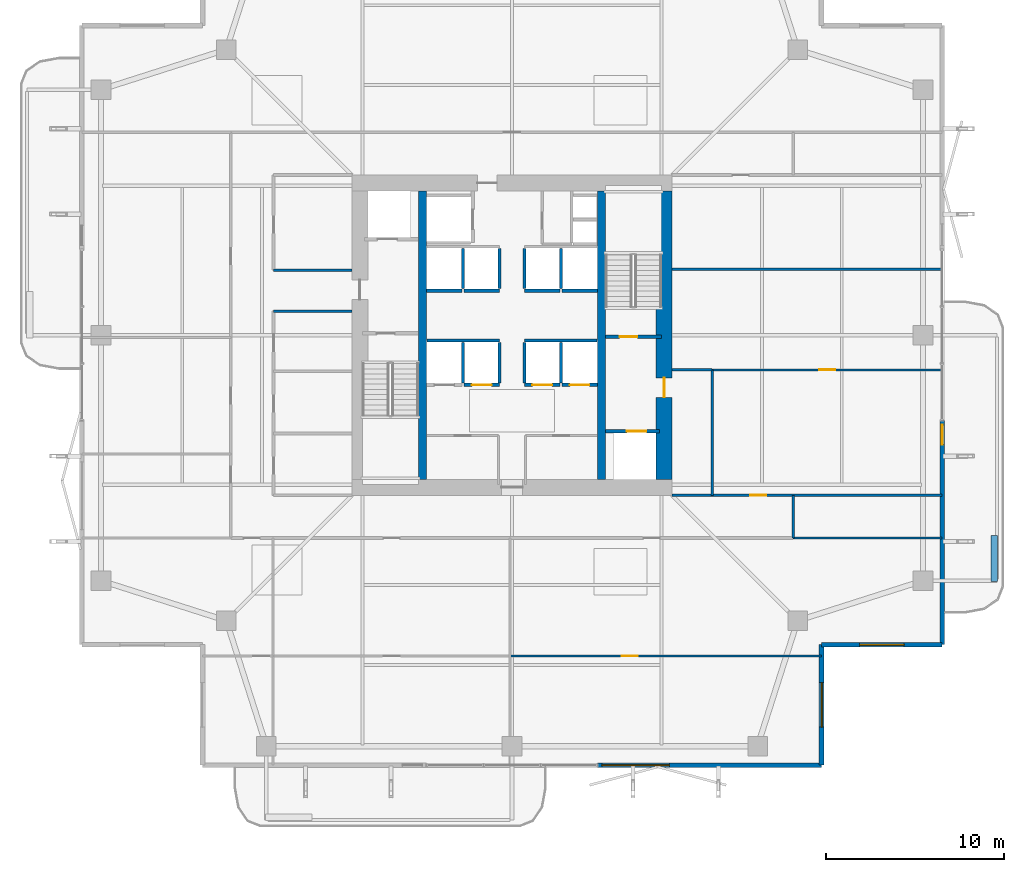
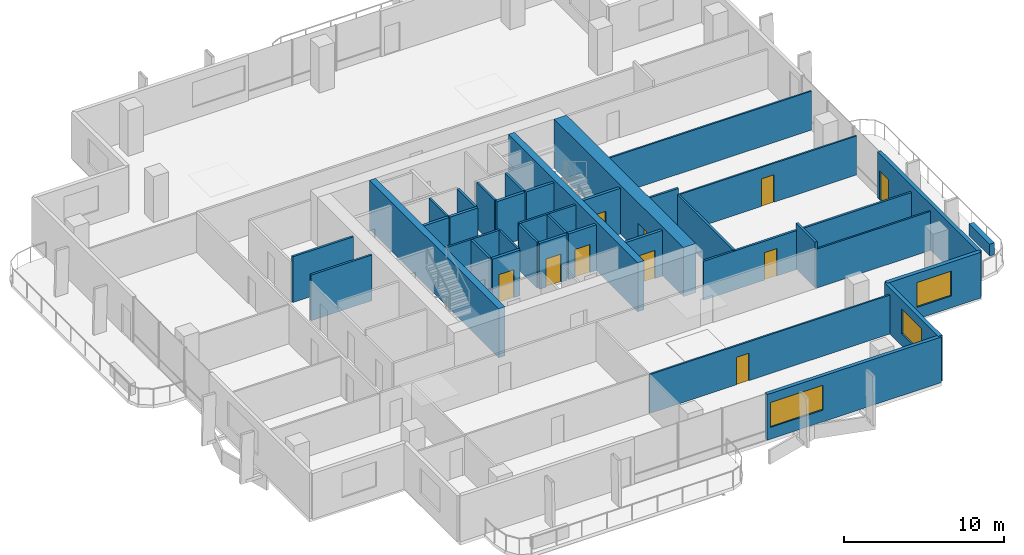
# One storey, part 20 of 25: 37 walls, 10 doors, 3 windows, 13 openings.
"""IFC4 building model written with IfcOpenShell, lengths in metres."""

from ifc_helpers import new_model, si_unit, direction, frame, frame_2d, origin, place, context, subcontext, project, spatial, rectangle, extrude, material, layer, layer_set, type_object, element, fill, save


model = new_model("IFC4")

# Units and contexts
model_context = context("Model", 3, precision=1e-05, world=origin(), true_north=direction((0.0, 1.0)))
body_context = subcontext(model_context, "Body", "Model", "MODEL_VIEW")
ifc_project = project(units=[si_unit("LENGTHUNIT", "METRE"), si_unit("AREAUNIT", "SQUARE_METRE"), si_unit("VOLUMEUNIT", "CUBIC_METRE"), si_unit("PLANEANGLEUNIT", "RADIAN"), si_unit("MASSUNIT", "GRAM", prefix="KILO")], contexts=[model_context])

# Site, building, storey
site_placement = place(None, origin())
site = spatial("IfcSite", under=ifc_project, at=site_placement, CompositionType="ELEMENT")
building_placement = place(site_placement, origin())
building = spatial("IfcBuilding", under=site, at=building_placement, Name="Belovzor Exchange Tower", CompositionType="ELEMENT")
storey_placement = place(building_placement, frame((0.0, 0.0, 160.800048828125)))
storey = spatial("IfcBuildingStorey", under=building, at=storey_placement, Name="L39", CompositionType="ELEMENT", Elevation=160.800048828125)

# Wall, opening, door
ifc_material_1 = material(Name="Acoustic Plasterboard on Galvanised Studs", Category="gypsum")
ifc_layer_1 = layer(ifc_material_1, 0.1201171875)
ifc_layer_set_1 = layer_set([ifc_layer_1], Name="Acoustic Plasterboard on Galvanised Studs")
wall_type_1 = type_object("IfcWallType", Name="Acoustic Double-Stud Partition Wall 120", PredefinedType="PARTITIONING", material=ifc_layer_set_1)
wall_1_placement = place(storey_placement, frame((28.696044921875, 10.76611328125, 0.0), z_axis=(0.0, 0.0, 1.0), x_axis=(1.0, 0.0, 0.0)))
wall_1 = element("IfcWall", 1, at=wall_1_placement, inside=storey, type_object=wall_type_1, Name="W-P120 Partition Wall W-L39-SHDIV-2", PredefinedType="PARTITIONING", context=body_context, shape_type="SweptSolid", body=[
    extrude(rectangle(XDim=17.50390625, YDim=0.1201171875, at=frame_2d((8.751953125, 0.0))), origin(), (0.0, 0.0, 1.0), 2.97998046875),
])
opening_1_placement = place(wall_1_placement, frame((6.277099609375, 0.0, 0.0)))
opening_1 = element("IfcOpeningElement", 2, at=opening_1_placement, cuts=wall_1, Name="Opening D-INT-090", PredefinedType="OPENING", context=body_context, shape_type="SweptSolid", body=[
    extrude(rectangle(XDim=0.89990234375, YDim=2.10009765625, at=frame_2d((0.449951171875, 1.050048828125))), frame((0.0, 0.070068359375, 0.0), z_axis=(0.0, -1.0, 0.0), x_axis=(1.0, 0.0, 0.0)), (0.0, 0.0, 1.0), 0.14013671875),
])
ifc_material_2 = material(Name="Veneered Hardwood Acoustic Leaf", Category="wood")
door_type_1 = type_object("IfcDoorType", Name="Trading Suite Acoustic Single Door 900x2100", OperationType="NOTDEFINED", PredefinedType="DOOR", material=ifc_material_2)
door_1_placement = place(opening_1_placement, origin())
door_1 = element("IfcDoor", 3, at=door_1_placement, inside=storey, type_object=door_type_1, Name="D-INT-090 Trading Suite Acoustic Single Door 900x2100", OperationType="SINGLE_SWING_LEFT", OverallHeight=2.10009765625, OverallWidth=0.89990234375, PredefinedType="DOOR", context=body_context, shape_type="SweptSolid", body=[
    extrude(rectangle(XDim=0.89990234375, YDim=2.10009765625, at=frame_2d((0.449951171875, 1.050048828125))), frame((0.0, 0.02490234375, 0.0), z_axis=(0.0, -1.0, 0.0), x_axis=(1.0, 0.0, 0.0)), (0.0, 0.0, 1.0), 0.050048828125),
])
fill(opening_1, door_1)

wall_2_placement = place(storey_placement, frame((40.050048828125, 26.85009765625, 0.0), z_axis=(0.0, 0.0, 1.0), x_axis=(1.0, 0.0, 0.0)))
wall_2 = element("IfcWall", 4, at=wall_2_placement, inside=storey, type_object=wall_type_1, Name="W-P120 Partition Wall W-L39-EDIV-1", PredefinedType="PARTITIONING", context=body_context, shape_type="SweptSolid", body=[
    extrude(rectangle(XDim=12.919921875, YDim=0.1201171875, at=frame_2d((6.4599609375, 0.0))), origin(), (0.0, 0.0, 1.0), 2.97998046875),
])
opening_2_placement = place(wall_2_placement, frame((6.010009765625, 0.0, 0.0)))
opening_2 = element("IfcOpeningElement", 5, at=opening_2_placement, cuts=wall_2, Name="Opening D-INT-090", PredefinedType="OPENING", context=body_context, shape_type="SweptSolid", body=[
    extrude(rectangle(XDim=0.89990234375, YDim=2.10009765625, at=frame_2d((0.449951171875, 1.050048828125))), frame((0.0, 0.070068359375, 0.0), z_axis=(0.0, -1.0, 0.0), x_axis=(1.0, 0.0, 0.0)), (0.0, 0.0, 1.0), 0.14013671875),
])
door_2_placement = place(opening_2_placement, origin())
door_2 = element("IfcDoor", 6, at=door_2_placement, inside=storey, type_object=door_type_1, Name="D-INT-090 Trading Suite Acoustic Single Door 900x2100", OperationType="SINGLE_SWING_LEFT", OverallHeight=2.10009765625, OverallWidth=0.89990234375, PredefinedType="DOOR", context=body_context, shape_type="SweptSolid", body=[
    extrude(rectangle(XDim=0.89990234375, YDim=2.10009765625, at=frame_2d((0.449951171875, 1.050048828125))), frame((0.0, 0.02490234375, 0.0), z_axis=(0.0, -1.0, 0.0), x_axis=(1.0, 0.0, 0.0)), (0.0, 0.0, 1.0), 0.050048828125),
])
fill(opening_2, door_2)

# Walls
wall_3_placement = place(storey_placement, frame((37.800048828125, 32.5, 0.0), z_axis=(0.0, 0.0, 1.0), x_axis=(1.0, 0.0, 0.0)))
element("IfcWall", 7, at=wall_3_placement, inside=storey, type_object=wall_type_1, Name="W-P120 Partition Wall W-L39-EDIV-2", PredefinedType="PARTITIONING", context=body_context, shape_type="SweptSolid", body=[
    extrude(rectangle(XDim=15.169921875, YDim=0.1201171875, at=frame_2d((7.5849609375, 0.0))), origin(), (0.0, 0.0, 1.0), 2.97998046875),
])
wall_4_placement = place(storey_placement, frame((44.60009765625, 17.39990234375, 0.0), z_axis=(0.0, 0.0, 1.0), x_axis=(1.0, 0.0, 0.0)))
element("IfcWall", 8, at=wall_4_placement, inside=storey, type_object=wall_type_1, Name="W-P120 Partition Wall W-L39-END-SE", PredefinedType="PARTITIONING", context=body_context, shape_type="SweptSolid", body=[
    extrude(rectangle(XDim=8.369873046875, YDim=0.1201171875, at=frame_2d((4.18505859375, 0.0))), origin(), (0.0, 0.0, 1.0), 2.97998046875),
])
ifc_material_3 = material(Name="Fire-Rated Gypsum Block and Mineral Wool", Category="gypsum")
ifc_layer_2 = layer(ifc_material_3, 0.14990234375)
ifc_layer_set_2 = layer_set([ifc_layer_2], Name="Fire-Rated Gypsum Block and Mineral Wool")
wall_type_2 = type_object("IfcWallType", Name="Fire-Rated Gypsum Block Corridor Wall 150", PredefinedType="PARTITIONING", material=ifc_layer_set_2)
for number, where, z_axis, x_axis, name in (
    (9, (15.39990234375, 30.14990234375, 0.0), (0.0, 0.0, 1.0), (1.0, 0.0, 0.0), "W-P150 Partition Wall W-L39-WIC-N"),
    (10, (15.39990234375, 32.449951171875, 0.0), (0.0, 0.0, 1.0), (1.0, 0.0, 0.0), "W-P150 Partition Wall W-L39-CFW-N"),
):
    element("IfcWall", number, at=place(storey_placement, frame(where, z_axis=z_axis, x_axis=x_axis)), inside=storey, type_object=wall_type_2, Name=name, PredefinedType="PARTITIONING", context=body_context, shape_type="SweptSolid", body=[
        extrude(rectangle(XDim=4.400146484375, YDim=0.14990234375, at=frame_2d((2.2001953125, 0.0))), origin(), (0.0, 0.0, 1.0), 3.494873046875),
    ])
wall_5_placement = place(storey_placement, frame((37.800048828125, 26.85009765625, 0.0), z_axis=(0.0, 0.0, 1.0), x_axis=(1.0, 0.0, 0.0)))
element("IfcWall", 11, at=wall_5_placement, inside=storey, type_object=wall_type_2, Name="W-P150 Partition Wall W-L39-CFE-N", PredefinedType="PARTITIONING", context=body_context, shape_type="SweptSolid", body=[
    extrude(rectangle(XDim=2.25, YDim=0.14990234375, at=frame_2d((1.125, 0.0))), origin(), (0.0, 0.0, 1.0), 3.494873046875),
])
wall_6_placement = place(storey_placement, frame((40.050048828125, 19.800048828125, 0.0), z_axis=(0.0, 0.0, 1.0), x_axis=(0.0, 1.0, 0.0)))
element("IfcWall", 12, at=wall_6_placement, inside=storey, type_object=wall_type_2, Name="W-P150 Partition Wall W-L39-CFE-E", PredefinedType="PARTITIONING", context=body_context, shape_type="SweptSolid", body=[
    extrude(rectangle(XDim=7.050048828125, YDim=0.14990234375, at=frame_2d((3.52490234375, 0.0))), origin(), (0.0, 0.0, 1.0), 3.030029296875),
])
wall_7_placement = place(storey_placement, frame((44.60009765625, 17.39990234375, 0.0), z_axis=(0.0, 0.0, 1.0), x_axis=(0.0, 1.0, 0.0)))
element("IfcWall", 13, at=wall_7_placement, inside=storey, type_object=wall_type_2, Name="W-P150 Partition Wall W-L39-END-ES", PredefinedType="PARTITIONING", context=body_context, shape_type="SweptSolid", body=[
    extrude(rectangle(XDim=2.400146484375, YDim=0.14990234375, at=frame_2d((1.2001953125, 0.0))), origin(), (0.0, 0.0, 1.0), 3.494873046875),
])

# Wall, opening, door
wall_8_placement = place(storey_placement, frame((37.800048828125, 19.800048828125, 0.0), z_axis=(0.0, 0.0, 1.0), x_axis=(1.0, 0.0, 0.0)))
wall_8 = element("IfcWall", 14, at=wall_8_placement, inside=storey, type_object=wall_type_2, Name="W-P150 Partition Wall W-L39-CS-IN", PredefinedType="PARTITIONING", context=body_context, shape_type="SweptSolid", body=[
    extrude(rectangle(XDim=15.169921875, YDim=0.14990234375, at=frame_2d((7.5849609375, 0.0))), origin(), (0.0, 0.0, 1.0), 2.97998046875),
])
opening_3_placement = place(wall_8_placement, frame((4.39990234375, 0.0, 0.0)))
opening_3 = element("IfcOpeningElement", 15, at=opening_3_placement, cuts=wall_8, Name="Opening D-INT-090", PredefinedType="OPENING", context=body_context, shape_type="SweptSolid", body=[
    extrude(rectangle(XDim=0.89990234375, YDim=2.10009765625, at=frame_2d((0.449951171875, 1.050048828125))), frame((0.0, 0.0849609375, 0.0), z_axis=(0.0, -1.0, 0.0), x_axis=(1.0, 0.0, 0.0)), (0.0, 0.0, 1.0), 0.169921875),
])
door_3_placement = place(opening_3_placement, origin())
door_3 = element("IfcDoor", 16, at=door_3_placement, inside=storey, type_object=door_type_1, Name="D-INT-090 Trading Suite Acoustic Single Door 900x2100", OperationType="SINGLE_SWING_LEFT", OverallHeight=2.10009765625, OverallWidth=0.89990234375, PredefinedType="DOOR", context=body_context, shape_type="SweptSolid", body=[
    extrude(rectangle(XDim=0.89990234375, YDim=2.10009765625, at=frame_2d((0.449951171875, 1.050048828125))), frame((0.0, 0.02490234375, 0.0), z_axis=(0.0, -1.0, 0.0), x_axis=(1.0, 0.0, 0.0)), (0.0, 0.0, 1.0), 0.050048828125),
])
fill(opening_3, door_3)

# Wall, opening, window
ifc_material_4 = material(Name="Precast concrete C40/50", Category="concrete")
ifc_layer_3 = layer(ifc_material_4, 0.280029296875)
ifc_layer_set_3 = layer_set([ifc_layer_3], Name="Precast concrete C40/50")
wall_type_3 = type_object("IfcWallType", Name="Precast Concrete Notched Corner Frame Wall 280", PredefinedType="SOLIDWALL", material=ifc_layer_set_3)
wall_9_placement = place(storey_placement, frame((52.969970703125, 11.39990234375, 0.0), z_axis=(0.0, 0.0, 1.0), x_axis=(-1.0, 0.0, 0.0)))
wall_9 = element("IfcWall", 17, at=wall_9_placement, inside=storey, type_object=wall_type_3, Name="W-CRN280 Precast Concrete Notched Corner Frame Wall 280 L39", PredefinedType="SOLIDWALL", context=body_context, shape_type="SweptSolid", body=[
    extrude(rectangle(XDim=6.77001953125, YDim=0.280029296875, at=frame_2d((3.385009765625, 0.0))), origin(), (0.0, 0.0, 1.0), 3.494873046875),
])
opening_4_placement = place(wall_9_placement, frame((2.135009765625, 0.0, 0.89990234375)))
opening_4 = element("IfcOpeningElement", 18, at=opening_4_placement, cuts=wall_9, Name="Opening WN-CRN250", PredefinedType="OPENING", context=body_context, shape_type="SweptSolid", body=[
    extrude(rectangle(XDim=2.5, YDim=1.89990234375, at=frame_2d((1.25, 0.949951171875))), frame((0.0, 0.14990234375, 0.0), z_axis=(0.0, -1.0, 0.0), x_axis=(1.0, 0.0, 0.0)), (0.0, 0.0, 1.0), 0.300048828125),
])
ifc_material_5 = material(Name="Thermally Broken Aluminium and Triple Glazing", Category="aluminium")
window_type_1 = type_object("IfcWindowType", Name="Streamline Moderne Corner Wrap Ribbon Window 2500x1900", PartitioningType="SINGLE_PANEL", PredefinedType="WINDOW", material=ifc_material_5)
window_1_placement = place(opening_4_placement, origin())
window_1 = element("IfcWindow", 19, at=window_1_placement, inside=storey, type_object=window_type_1, Name="WN-CRN250 Streamline Moderne Corner Wrap Ribbon Window 2500x1900", OverallHeight=1.89990234375, OverallWidth=2.5, PartitioningType="SINGLE_PANEL", PredefinedType="WINDOW", context=body_context, shape_type="SweptSolid", body=[
    extrude(rectangle(XDim=2.5, YDim=1.89990234375, at=frame_2d((1.25, 0.949951171875))), frame((0.0, 0.030029296875, 0.0), z_axis=(0.0, -1.0, 0.0), x_axis=(1.0, 0.0, 0.0)), (0.0, 0.0, 1.0), 0.06005859375),
])
fill(opening_4, window_1)

wall_10_placement = place(storey_placement, frame((46.199951171875, 11.39990234375, 0.0), z_axis=(0.0, 0.0, 1.0), x_axis=(0.0, -1.0, 0.0)))
wall_10 = element("IfcWall", 20, at=wall_10_placement, inside=storey, type_object=wall_type_3, Name="W-CRN280 Precast Concrete Notched Corner Frame Wall 280 L39", PredefinedType="SOLIDWALL", context=body_context, shape_type="SweptSolid", body=[
    extrude(rectangle(XDim=6.77001953125, YDim=0.280029296875, at=frame_2d((3.385009765625, 0.0))), origin(), (0.0, 0.0, 1.0), 3.494873046875),
])
opening_5_placement = place(wall_10_placement, frame((2.135009765625, 0.0, 0.89990234375)))
opening_5 = element("IfcOpeningElement", 21, at=opening_5_placement, cuts=wall_10, Name="Opening WN-CRN250", PredefinedType="OPENING", context=body_context, shape_type="SweptSolid", body=[
    extrude(rectangle(XDim=2.5, YDim=1.89990234375, at=frame_2d((1.25, 0.949951171875))), frame((0.0, 0.14990234375, 0.0), z_axis=(0.0, -1.0, 0.0), x_axis=(1.0, 0.0, 0.0)), (0.0, 0.0, 1.0), 0.300048828125),
])
window_2_placement = place(opening_5_placement, origin())
window_2 = element("IfcWindow", 22, at=window_2_placement, inside=storey, type_object=window_type_1, Name="WN-CRN250 Streamline Moderne Corner Wrap Ribbon Window 2500x1900", OverallHeight=1.89990234375, OverallWidth=2.5, PartitioningType="SINGLE_PANEL", PredefinedType="WINDOW", context=body_context, shape_type="SweptSolid", body=[
    extrude(rectangle(XDim=2.5, YDim=1.89990234375, at=frame_2d((1.25, 0.949951171875))), frame((0.0, 0.030029296875, 0.0), z_axis=(0.0, -1.0, 0.0), x_axis=(1.0, 0.0, 0.0)), (0.0, 0.0, 1.0), 0.06005859375),
])
fill(opening_5, window_2)

ifc_material_6 = material(Name="Precast concrete C40/50", Category="concrete")
ifc_layer_4 = layer(ifc_material_6, 0.260009765625)
ifc_layer_set_4 = layer_set([ifc_layer_4], Name="Precast concrete C40/50")
wall_type_4 = type_object("IfcWallType", Name="Precast Concrete Perimeter Loggia Frame Wall 260", PredefinedType="SOLIDWALL", material=ifc_layer_set_4)
wall_11_placement = place(storey_placement, frame((46.199951171875, 4.6298828125, 0.0), z_axis=(0.0, 0.0, 1.0), x_axis=(-1.0, 0.0, 0.0)))
wall_11 = element("IfcWall", 23, at=wall_11_placement, inside=storey, type_object=wall_type_4, Name="W-EXT260 Precast Concrete Perimeter Loggia Frame Wall 260 L39", PredefinedType="SOLIDWALL", context=body_context, shape_type="SweptSolid", body=[
    extrude(rectangle(XDim=12.599853515625, YDim=0.260009765625, at=frame_2d((6.2998046875, 0.0))), origin(), (0.0, 0.0, 1.0), 3.494873046875),
])
opening_6_placement = place(wall_11_placement, frame((8.550048828125, 0.0, 0.89990234375)))
opening_6 = element("IfcOpeningElement", 24, at=opening_6_placement, cuts=wall_11, Name="Opening WN-RIB380", PredefinedType="OPENING", context=body_context, shape_type="SweptSolid", body=[
    extrude(rectangle(XDim=3.800048828125, YDim=1.89990234375, at=frame_2d((1.89990234375, 0.949951171875))), frame((0.0, 0.139892578125, 0.0), z_axis=(0.0, -1.0, 0.0), x_axis=(1.0, 0.0, 0.0)), (0.0, 0.0, 1.0), 0.280029296875),
])
ifc_material_7 = material(Name="Thermally Broken Aluminium and Triple Glazing", Category="aluminium")
window_type_2 = type_object("IfcWindowType", Name="Streamline Moderne Horizontal Ribbon Window 3800x1900", PartitioningType="SINGLE_PANEL", PredefinedType="WINDOW", material=ifc_material_7)
window_3_placement = place(opening_6_placement, origin())
window_3 = element("IfcWindow", 25, at=window_3_placement, inside=storey, type_object=window_type_2, Name="WN-RIB380 Streamline Moderne Horizontal Ribbon Window 3800x1900", OverallHeight=1.89990234375, OverallWidth=3.800048828125, PartitioningType="SINGLE_PANEL", PredefinedType="WINDOW", context=body_context, shape_type="SweptSolid", body=[
    extrude(rectangle(XDim=3.800048828125, YDim=1.89990234375, at=frame_2d((1.89990234375, 0.949951171875))), frame((0.0, 0.030029296875, 0.0), z_axis=(0.0, -1.0, 0.0), x_axis=(1.0, 0.0, 0.0)), (0.0, 0.0, 1.0), 0.06005859375),
])
fill(opening_6, window_3)

# Wall, opening, door
wall_12_placement = place(storey_placement, frame((52.969970703125, 24.0, 0.0), z_axis=(0.0, 0.0, 1.0), x_axis=(0.0, -1.0, 0.0)))
wall_12 = element("IfcWall", 26, at=wall_12_placement, inside=storey, type_object=wall_type_4, Name="W-EXT260 Precast Concrete Perimeter Loggia Frame Wall 260 L39", PredefinedType="SOLIDWALL", context=body_context, shape_type="SweptSolid", body=[
    extrude(rectangle(XDim=12.60009765625, YDim=0.260009765625, at=frame_2d((6.300048828125, 0.0))), origin(), (0.0, 0.0, 1.0), 3.494873046875),
])
opening_7_placement = place(wall_12_placement, frame((0.25, 0.0, 0.0)))
opening_7 = element("IfcOpeningElement", 27, at=opening_7_placement, cuts=wall_12, Name="Opening D-BAL110", PredefinedType="OPENING", context=body_context, shape_type="SweptSolid", body=[
    extrude(rectangle(XDim=1.10009765625, YDim=2.199951171875, at=frame_2d((0.550048828125, 1.10009765625))), frame((0.0, 0.139892578125, 0.0), z_axis=(0.0, -1.0, 0.0), x_axis=(1.0, 0.0, 0.0)), (0.0, 0.0, 1.0), 0.280029296875),
])
ifc_material_8 = material(Name="Thermally Broken Anodised Aluminium and Laminated Glass", Category="aluminium")
door_type_2 = type_object("IfcDoorType", Name="Planted Loggia Terrace Glazed Door 1100x2200", OperationType="SINGLE_SWING_LEFT", PredefinedType="DOOR", material=ifc_material_8)
door_4_placement = place(opening_7_placement, origin())
door_4 = element("IfcDoor", 28, at=door_4_placement, inside=storey, type_object=door_type_2, Name="D-BAL110 Balcony Terrace Door L39 E", OperationType="SINGLE_SWING_LEFT", OverallHeight=2.199951171875, OverallWidth=1.10009765625, PredefinedType="DOOR", context=body_context, shape_type="SweptSolid", body=[
    extrude(rectangle(XDim=1.10009765625, YDim=2.199951171875, at=frame_2d((0.550048828125, 1.10009765625))), frame((0.0, 0.02490234375, 0.0), z_axis=(0.0, -1.0, 0.0), x_axis=(1.0, 0.0, 0.0)), (0.0, 0.0, 1.0), 0.050048828125),
])
fill(opening_7, door_4)

# Walls
ifc_material_9 = material(Name="Precast concrete C40/50", Category="concrete")
ifc_layer_5 = layer(ifc_material_9, 0.35009765625)
ifc_layer_set_5 = layer_set([ifc_layer_5], Name="Precast concrete C40/50")
wall_type_5 = type_object("IfcWallType", Name="Precast Concrete Structural Tree Planter Trough 350", PredefinedType="PARAPET", material=ifc_layer_set_5)
wall_13_placement = place(storey_placement, frame((55.89990234375, 14.949951171875, 0.0), z_axis=(0.0, 0.0, 1.0), x_axis=(0.0, 1.0, 0.0)))
element("IfcWall", 29, at=wall_13_placement, inside=storey, type_object=wall_type_5, Name="PT-350 Precast Concrete Structural Tree Planter Trough 350 L39", PredefinedType="PARAPET", context=body_context, shape_type="SweptSolid", body=[
    extrude(rectangle(XDim=2.60009765625, YDim=0.35009765625, at=frame_2d((1.300048828125, 0.0))), origin(), (0.0, 0.0, 1.0), 0.89990234375),
])
ifc_material_10 = material(Name="Concrete C50/60", Category="concrete")
ifc_layer_6 = layer(ifc_material_10, 0.449951171875)
ifc_layer_set_6 = layer_set([ifc_layer_6], Name="Concrete C50/60")
wall_type_6 = type_object("IfcWallType", Name="Reinforced Concrete Core Internal Web Wall 450", PredefinedType="SHEAR", material=ifc_layer_set_6)
for number, where, z_axis, x_axis, name in (
    (30, (23.77490234375, 20.699951171875, 0.0), (0.0, 0.0, 1.0), (0.0, 1.0, 0.0), "CW-W045 Core Internal Web Wall L39 WL"),
    (31, (33.824951171875, 20.699951171875, 0.0), (0.0, 0.0, 1.0), (0.0, 1.0, 0.0), "CW-W045 Core Internal Web Wall L39 ER"),
):
    element("IfcWall", number, at=place(storey_placement, frame(where, z_axis=z_axis, x_axis=x_axis)), inside=storey, type_object=wall_type_6, Name=name, PredefinedType="SHEAR", context=body_context, shape_type="SweptSolid", body=[
        extrude(rectangle(XDim=16.199951171875, YDim=0.449951171875, at=frame_2d((8.10009765625, 0.0))), origin(), (0.0, 0.0, 1.0), 3.75),
    ])
ifc_material_11 = material(Name="Concrete C50/60", Category="concrete")
ifc_layer_7 = layer(ifc_material_11, 0.14990234375)
ifc_layer_set_7 = layer_set([ifc_layer_7], Name="Concrete C50/60")
wall_type_7 = type_object("IfcWallType", Name="Reinforced Concrete Core Riser Shear Wall 150", PredefinedType="SHEAR", material=ifc_layer_set_7)
for number, where, z_axis, x_axis, name in (
    (32, (24.02001953125, 28.5, 0.0), (0.0, 0.0, 1.0), (1.0, 0.0, 0.0), "W-C150S Core Shaft Wall W-SHB-L39-PLM-NW"),
    (33, (29.5, 28.5, 0.0), (0.0, 0.0, 1.0), (1.0, 0.0, 0.0), "W-C150S Core Shaft Wall W-SHB-L39-PLM-NE"),
):
    element("IfcWall", number, at=place(storey_placement, frame(where, z_axis=z_axis, x_axis=x_axis)), inside=storey, type_object=wall_type_7, Name=name, PredefinedType="SHEAR", context=body_context, shape_type="SweptSolid", body=[
        extrude(rectangle(XDim=4.080078125, YDim=0.14990234375, at=frame_2d((2.0400390625, 0.0))), origin(), (0.0, 0.0, 1.0), 3.494873046875),
    ])
for number, where, z_axis, x_axis, name in (
    (34, (26.050048828125, 26.1201171875, 0.0), (0.0, 0.0, 1.0), (0.0, 1.0, 0.0), "W-C150S Core Shaft Wall W-SHD-L39-PLM-1"),
    (35, (28.10009765625, 26.1201171875, 0.0), (0.0, 0.0, 1.0), (0.0, 1.0, 0.0), "W-C150S Core Shaft Wall W-SHD-L39-PLM-2"),
    (36, (29.5, 26.1201171875, 0.0), (0.0, 0.0, 1.0), (0.0, 1.0, 0.0), "W-C150S Core Shaft Wall W-SHD-L39-PLM-3"),
    (37, (31.550048828125, 26.1201171875, 0.0), (0.0, 0.0, 1.0), (0.0, 1.0, 0.0), "W-C150S Core Shaft Wall W-SHD-L39-PLM-4"),
):
    element("IfcWall", number, at=place(storey_placement, frame(where, z_axis=z_axis, x_axis=x_axis)), inside=storey, type_object=wall_type_7, Name=name, PredefinedType="SHEAR", context=body_context, shape_type="SweptSolid", body=[
        extrude(rectangle(XDim=2.27978515625, YDim=0.14990234375, at=frame_2d((1.139892578125, 0.0))), origin(), (0.0, 0.0, 1.0), 3.494873046875),
    ])
for number, where, z_axis, x_axis, name in (
    (38, (26.050048828125, 31.419921875, 0.0), (0.0, 0.0, 1.0), (0.0, 1.0, 0.0), "W-C150S Core Shaft Wall W-SHD-L39-PLH-1"),
    (39, (28.10009765625, 31.419921875, 0.0), (0.0, 0.0, 1.0), (0.0, 1.0, 0.0), "W-C150S Core Shaft Wall W-SHD-L39-PLH-2"),
    (40, (29.5, 31.419921875, 0.0), (0.0, 0.0, 1.0), (0.0, 1.0, 0.0), "W-C150S Core Shaft Wall W-SHD-L39-PLH-3"),
    (41, (31.550048828125, 31.419921875, 0.0), (0.0, 0.0, 1.0), (0.0, 1.0, 0.0), "W-C150S Core Shaft Wall W-SHD-L39-PLH-4"),
):
    element("IfcWall", number, at=place(storey_placement, frame(where, z_axis=z_axis, x_axis=x_axis)), inside=storey, type_object=wall_type_7, Name=name, PredefinedType="SHEAR", context=body_context, shape_type="SweptSolid", body=[
        extrude(rectangle(XDim=2.239990234375, YDim=0.14990234375, at=frame_2d((1.1201171875, 0.0))), origin(), (0.0, 0.0, 1.0), 3.494873046875),
    ])

# Wall, opening, door
ifc_material_12 = material(Name="Concrete C50/60", Category="concrete")
ifc_layer_8 = layer(ifc_material_12, 0.199951171875)
ifc_layer_set_8 = layer_set([ifc_layer_8], Name="Concrete C50/60")
wall_type_8 = type_object("IfcWallType", Name="Reinforced Concrete Core Shaft Shear Wall 200", PredefinedType="SHEAR", material=ifc_layer_set_8)
wall_14_placement = place(storey_placement, frame((34.050048828125, 28.699951171875, 0.0), z_axis=(0.0, 0.0, 1.0), x_axis=(1.0, 0.0, 0.0)))
wall_14 = element("IfcWall", 42, at=wall_14_placement, inside=storey, type_object=wall_type_8, Name="W-C200S Core Shaft Wall W-CORE-L39-FFLE2", PredefinedType="SHEAR", context=body_context, shape_type="SweptSolid", body=[
    extrude(rectangle(XDim=3.14990234375, YDim=0.199951171875, at=frame_2d((1.574951171875, 0.0))), origin(), (0.0, 0.0, 1.0), 3.494873046875),
])
opening_8_placement = place(wall_14_placement, frame((0.800048828125, 0.0, 0.0)))
opening_8 = element("IfcOpeningElement", 43, at=opening_8_placement, cuts=wall_14, Name="Opening D-FD90-100", PredefinedType="OPENING", context=body_context, shape_type="SweptSolid", body=[
    extrude(rectangle(XDim=1.0, YDim=2.10009765625, at=frame_2d((0.5, 1.050048828125))), frame((0.0, 0.10986328125, 0.0), z_axis=(0.0, -1.0, 0.0), x_axis=(1.0, 0.0, 0.0)), (0.0, 0.0, 1.0), 0.219970703125),
])
ifc_material_13 = material(Name="Fire-Rated Galvanised Steel Leaf", Category="steel")
door_type_3 = type_object("IfcDoorType", Name="Protected Stairwell Single Fire Door 1000x2100", OperationType="NOTDEFINED", PredefinedType="DOOR", material=ifc_material_13)
door_5_placement = place(opening_8_placement, origin())
door_5 = element("IfcDoor", 44, at=door_5_placement, inside=storey, type_object=door_type_3, Name="D-FD90-100 Protected Stairwell Single Fire Door 1000x2100", OperationType="SINGLE_SWING_LEFT", OverallHeight=2.10009765625, OverallWidth=1.0, PredefinedType="DOOR", context=body_context, shape_type="SweptSolid", body=[
    extrude(rectangle(XDim=1.0, YDim=2.10009765625, at=frame_2d((0.5, 1.050048828125))), frame((0.0, 0.02490234375, 0.0), z_axis=(0.0, -1.0, 0.0), x_axis=(1.0, 0.0, 0.0)), (0.0, 0.0, 1.0), 0.050048828125),
])
fill(opening_8, door_5)

wall_15_placement = place(storey_placement, frame((34.050048828125, 23.39990234375, 0.0), z_axis=(0.0, 0.0, 1.0), x_axis=(1.0, 0.0, 0.0)))
wall_15 = element("IfcWall", 45, at=wall_15_placement, inside=storey, type_object=wall_type_8, Name="W-C200S Core Shaft Wall W-SH-L39-FFL-02", PredefinedType="SHEAR", context=body_context, shape_type="SweptSolid", body=[
    extrude(rectangle(XDim=3.050048828125, YDim=0.199951171875, at=frame_2d((1.52490234375, 0.0))), origin(), (0.0, 0.0, 1.0), 3.494873046875),
])
opening_9_placement = place(wall_15_placement, frame((1.199951171875, 0.0, 0.0)))
opening_9 = element("IfcOpeningElement", 46, at=opening_9_placement, cuts=wall_15, Name="Opening LD-110", PredefinedType="OPENING", context=body_context, shape_type="SweptSolid", body=[
    extrude(rectangle(XDim=1.10009765625, YDim=2.14990234375, at=frame_2d((0.550048828125, 1.074951171875))), frame((0.0, 0.10986328125, 0.0), z_axis=(0.0, -1.0, 0.0), x_axis=(1.0, 0.0, 0.0)), (0.0, 0.0, 1.0), 0.219970703125),
])
ifc_material_14 = material(Name="Stainless Steel Grade 304", Category="steel")
door_type_4 = type_object("IfcDoorType", Name="Automated Stainless Steel Lift Landing Door 1100x2150", OperationType="SLIDING_TO_RIGHT", PredefinedType="DOOR", material=ifc_material_14)
door_6_placement = place(opening_9_placement, origin())
door_6 = element("IfcDoor", 47, at=door_6_placement, inside=storey, type_object=door_type_4, Name="LD-110 Automated Stainless Steel Lift Landing Door 1100x2150", OperationType="SLIDING_TO_RIGHT", OverallHeight=2.14990234375, OverallWidth=1.10009765625, PredefinedType="DOOR", context=body_context, shape_type="SweptSolid", body=[
    extrude(rectangle(XDim=1.10009765625, YDim=2.14990234375, at=frame_2d((0.550048828125, 1.074951171875))), frame((0.0, 0.02490234375, 0.0), z_axis=(0.0, -1.0, 0.0), x_axis=(1.0, 0.0, 0.0)), (0.0, 0.0, 1.0), 0.050048828125),
])
fill(opening_9, door_6)

wall_16_placement = place(storey_placement, frame((26.10009765625, 26.0, 0.0), z_axis=(0.0, 0.0, 1.0), x_axis=(1.0, 0.0, 0.0)))
wall_16 = element("IfcWall", 48, at=wall_16_placement, inside=storey, type_object=wall_type_8, Name="W-C200S Core Shaft Wall W-SH-L39-PL-M2", PredefinedType="SHEAR", context=body_context, shape_type="SweptSolid", body=[
    extrude(rectangle(XDim=2.0, YDim=0.199951171875, at=frame_2d((1.0, 0.0))), origin(), (0.0, 0.0, 1.0), 3.494873046875),
])
opening_10_placement = place(wall_16_placement, frame((0.449951171875, 0.0, 0.0)))
opening_10 = element("IfcOpeningElement", 49, at=opening_10_placement, cuts=wall_16, Name="Opening LD-110", PredefinedType="OPENING", context=body_context, shape_type="SweptSolid", body=[
    extrude(rectangle(XDim=1.10009765625, YDim=2.14990234375, at=frame_2d((0.550048828125, 1.074951171875))), frame((0.0, 0.10986328125, 0.0), z_axis=(0.0, -1.0, 0.0), x_axis=(1.0, 0.0, 0.0)), (0.0, 0.0, 1.0), 0.219970703125),
])
door_7_placement = place(opening_10_placement, origin())
door_7 = element("IfcDoor", 50, at=door_7_placement, inside=storey, type_object=door_type_4, Name="LD-110 Automated Stainless Steel Lift Landing Door 1100x2150", OperationType="SLIDING_TO_RIGHT", OverallHeight=2.14990234375, OverallWidth=1.10009765625, PredefinedType="DOOR", context=body_context, shape_type="SweptSolid", body=[
    extrude(rectangle(XDim=1.10009765625, YDim=2.14990234375, at=frame_2d((0.550048828125, 1.074951171875))), frame((0.0, 0.02490234375, 0.0), z_axis=(0.0, -1.0, 0.0), x_axis=(1.0, 0.0, 0.0)), (0.0, 0.0, 1.0), 0.050048828125),
])
fill(opening_10, door_7)

wall_17_placement = place(storey_placement, frame((29.5, 26.0, 0.0), z_axis=(0.0, 0.0, 1.0), x_axis=(1.0, 0.0, 0.0)))
wall_17 = element("IfcWall", 51, at=wall_17_placement, inside=storey, type_object=wall_type_8, Name="W-C200S Core Shaft Wall W-SH-L39-PL-M3", PredefinedType="SHEAR", context=body_context, shape_type="SweptSolid", body=[
    extrude(rectangle(XDim=2.0, YDim=0.199951171875, at=frame_2d((1.0, 0.0))), origin(), (0.0, 0.0, 1.0), 3.494873046875),
])
opening_11_placement = place(wall_17_placement, frame((0.449951171875, 0.0, 0.0)))
opening_11 = element("IfcOpeningElement", 52, at=opening_11_placement, cuts=wall_17, Name="Opening LD-110", PredefinedType="OPENING", context=body_context, shape_type="SweptSolid", body=[
    extrude(rectangle(XDim=1.10009765625, YDim=2.14990234375, at=frame_2d((0.550048828125, 1.074951171875))), frame((0.0, 0.10986328125, 0.0), z_axis=(0.0, -1.0, 0.0), x_axis=(1.0, 0.0, 0.0)), (0.0, 0.0, 1.0), 0.219970703125),
])
door_8_placement = place(opening_11_placement, origin())
door_8 = element("IfcDoor", 53, at=door_8_placement, inside=storey, type_object=door_type_4, Name="LD-110 Automated Stainless Steel Lift Landing Door 1100x2150", OperationType="SLIDING_TO_RIGHT", OverallHeight=2.14990234375, OverallWidth=1.10009765625, PredefinedType="DOOR", context=body_context, shape_type="SweptSolid", body=[
    extrude(rectangle(XDim=1.10009765625, YDim=2.14990234375, at=frame_2d((0.550048828125, 1.074951171875))), frame((0.0, 0.02490234375, 0.0), z_axis=(0.0, -1.0, 0.0), x_axis=(1.0, 0.0, 0.0)), (0.0, 0.0, 1.0), 0.050048828125),
])
fill(opening_11, door_8)

wall_18_placement = place(storey_placement, frame((31.60009765625, 26.0, 0.0), z_axis=(0.0, 0.0, 1.0), x_axis=(1.0, 0.0, 0.0)))
wall_18 = element("IfcWall", 54, at=wall_18_placement, inside=storey, type_object=wall_type_8, Name="W-C200S Core Shaft Wall W-SH-L39-PL-M4", PredefinedType="SHEAR", context=body_context, shape_type="SweptSolid", body=[
    extrude(rectangle(XDim=2.0, YDim=0.199951171875, at=frame_2d((1.0, 0.0))), origin(), (0.0, 0.0, 1.0), 3.494873046875),
])
opening_12_placement = place(wall_18_placement, frame((0.449951171875, 0.0, 0.0)))
opening_12 = element("IfcOpeningElement", 55, at=opening_12_placement, cuts=wall_18, Name="Opening LD-110", PredefinedType="OPENING", context=body_context, shape_type="SweptSolid", body=[
    extrude(rectangle(XDim=1.10009765625, YDim=2.14990234375, at=frame_2d((0.550048828125, 1.074951171875))), frame((0.0, 0.10986328125, 0.0), z_axis=(0.0, -1.0, 0.0), x_axis=(1.0, 0.0, 0.0)), (0.0, 0.0, 1.0), 0.219970703125),
])
door_9_placement = place(opening_12_placement, origin())
door_9 = element("IfcDoor", 56, at=door_9_placement, inside=storey, type_object=door_type_4, Name="LD-110 Automated Stainless Steel Lift Landing Door 1100x2150", OperationType="SLIDING_TO_RIGHT", OverallHeight=2.14990234375, OverallWidth=1.10009765625, PredefinedType="DOOR", context=body_context, shape_type="SweptSolid", body=[
    extrude(rectangle(XDim=1.10009765625, YDim=2.14990234375, at=frame_2d((0.550048828125, 1.074951171875))), frame((0.0, 0.02490234375, 0.0), z_axis=(0.0, -1.0, 0.0), x_axis=(1.0, 0.0, 0.0)), (0.0, 0.0, 1.0), 0.050048828125),
])
fill(opening_12, door_9)

# Walls
for number, where, z_axis, x_axis, name in (
    (57, (24.0, 31.300048828125, 0.0), (0.0, 0.0, 1.0), (1.0, 0.0, 0.0), "W-C200S Core Shaft Wall W-SH-L39-PL-H1"),
    (58, (26.10009765625, 31.300048828125, 0.0), (0.0, 0.0, 1.0), (1.0, 0.0, 0.0), "W-C200S Core Shaft Wall W-SH-L39-PL-H2"),
    (59, (29.5, 31.300048828125, 0.0), (0.0, 0.0, 1.0), (1.0, 0.0, 0.0), "W-C200S Core Shaft Wall W-SH-L39-PL-H3"),
    (60, (31.60009765625, 31.300048828125, 0.0), (0.0, 0.0, 1.0), (1.0, 0.0, 0.0), "W-C200S Core Shaft Wall W-SH-L39-PL-H4"),
):
    element("IfcWall", number, at=place(storey_placement, frame(where, z_axis=z_axis, x_axis=x_axis)), inside=storey, type_object=wall_type_8, Name=name, PredefinedType="SHEAR", context=body_context, shape_type="SweptSolid", body=[
        extrude(rectangle(XDim=2.0, YDim=0.199951171875, at=frame_2d((1.0, 0.0))), origin(), (0.0, 0.0, 1.0), 3.494873046875),
    ])

# Wall, opening, door
ifc_material_15 = material(Name="Concrete C60/75", Category="concrete")
ifc_layer_9 = layer(ifc_material_15, 0.89990234375)
ifc_layer_set_9 = layer_set([ifc_layer_9], Name="Concrete C60/75")
wall_type_9 = type_object("IfcWallType", Name="Reinforced Concrete Core Shear Wall 900", PredefinedType="SHEAR", material=ifc_layer_set_9)
wall_19_placement = place(storey_placement, frame((37.35009765625, 20.699951171875, 0.0), z_axis=(0.0, 0.0, 1.0), x_axis=(0.0, 1.0, 0.0)))
wall_19 = element("IfcWall", 61, at=wall_19_placement, inside=storey, type_object=wall_type_9, Name="CW-S090 Core Shear Wall L39 E", PredefinedType="SHEAR", context=body_context, shape_type="SweptSolid", body=[
    extrude(rectangle(XDim=16.199951171875, YDim=0.89990234375, at=frame_2d((8.10009765625, 0.0))), origin(), (0.0, 0.0, 1.0), 3.75),
])
opening_13_placement = place(wall_19_placement, frame((4.60009765625, 0.0, 0.0)))
opening_13 = element("IfcOpeningElement", 62, at=opening_13_placement, cuts=wall_19, Name="Opening D-FD90-110", PredefinedType="OPENING", context=body_context, shape_type="SweptSolid", body=[
    extrude(rectangle(XDim=1.10009765625, YDim=2.14990234375, at=frame_2d((0.550048828125, 1.074951171875))), frame((0.0, 0.4599609375, 0.0), z_axis=(0.0, -1.0, 0.0), x_axis=(1.0, 0.0, 0.0)), (0.0, 0.0, 1.0), 0.919921875),
])
ifc_material_16 = material(Name="Fire-Rated Galvanised Steel Leaf", Category="steel")
door_type_5 = type_object("IfcDoorType", Name="Protected Escape Vestibule Fire Door 1100x2150", OperationType="NOTDEFINED", PredefinedType="DOOR", material=ifc_material_16)
door_10_placement = place(opening_13_placement, origin())
door_10 = element("IfcDoor", 63, at=door_10_placement, inside=storey, type_object=door_type_5, Name="D-FD90-110 Protected Escape Vestibule Fire Door 1100x2150", OperationType="SINGLE_SWING_RIGHT", OverallHeight=2.14990234375, OverallWidth=1.10009765625, PredefinedType="DOOR", context=body_context, shape_type="SweptSolid", body=[
    extrude(rectangle(XDim=1.10009765625, YDim=2.14990234375, at=frame_2d((0.550048828125, 1.074951171875))), frame((0.0, 0.02490234375, 0.0), z_axis=(0.0, -1.0, 0.0), x_axis=(1.0, 0.0, 0.0)), (0.0, 0.0, 1.0), 0.050048828125),
])
fill(opening_13, door_10)

save(model, "model.ifc")
